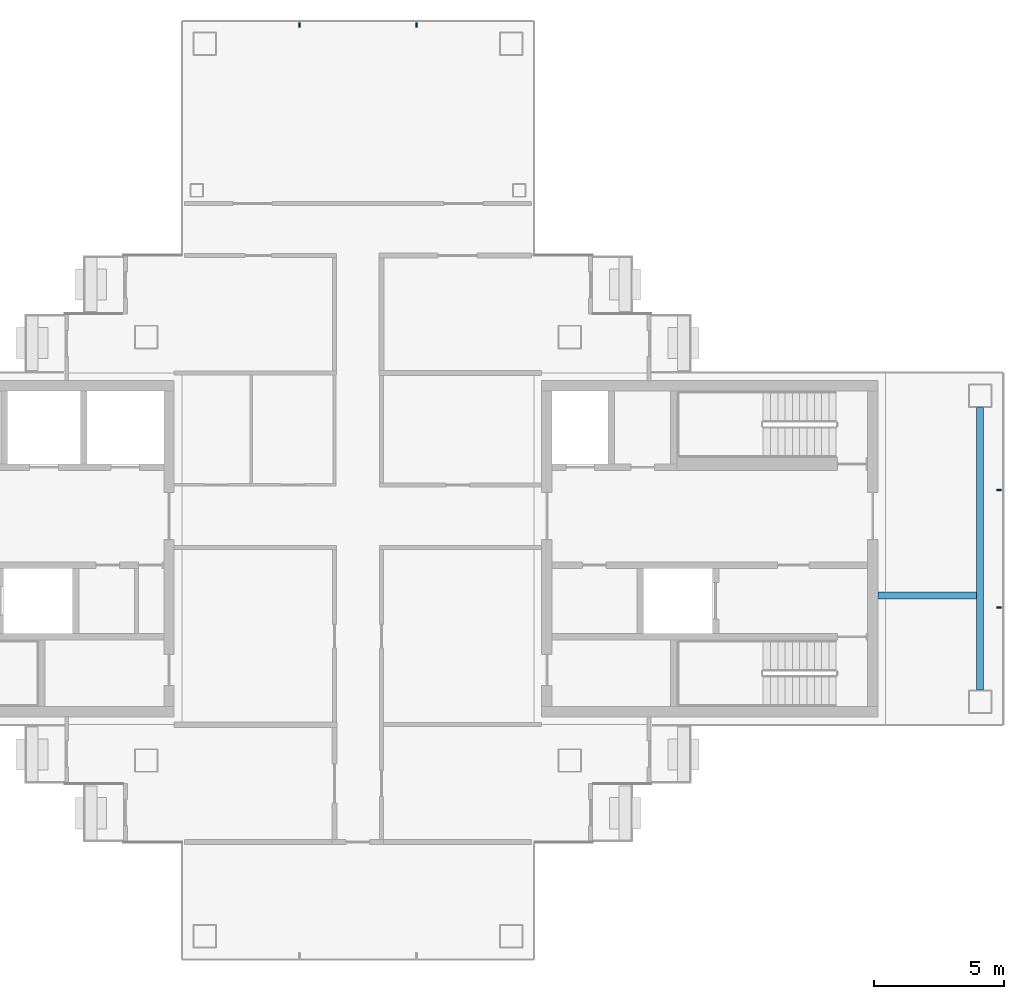
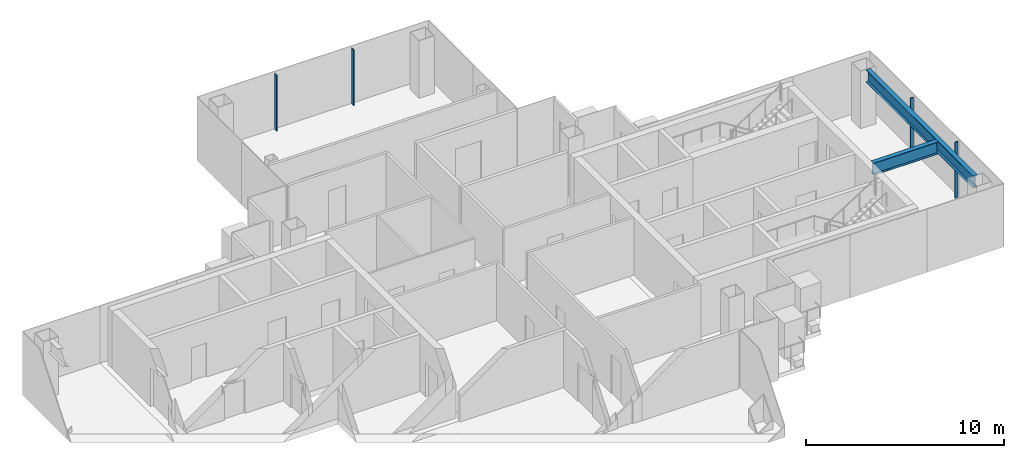
# One storey, part 6 of 17: 4 members, 2 beams, 2 elements without a shape of their own.
"""IFC4 building model written with IfcOpenShell, lengths in metres."""

from ifc_helpers import new_model, si_unit, direction, frame, origin, origin_2d, place, context, subcontext, project, spatial, rectangle, i_section, extrude, material, layer, layer_set, material_profile, profile_set, type_object, element, aggregate, save


model = new_model("IFC4")

# Units and contexts
model_context = context("Model", 3, precision=1e-05, world=origin(), true_north=direction((0.0, 1.0)))
body_context = subcontext(model_context, "Body", "Model", "MODEL_VIEW")
ifc_project = project(units=[si_unit("LENGTHUNIT", "METRE"), si_unit("AREAUNIT", "SQUARE_METRE"), si_unit("VOLUMEUNIT", "CUBIC_METRE"), si_unit("PLANEANGLEUNIT", "RADIAN"), si_unit("MASSUNIT", "GRAM", prefix="KILO")], contexts=[model_context])

# Site, building, storey
site_placement = place(None, origin())
site = spatial("IfcSite", under=ifc_project, at=site_placement, CompositionType="ELEMENT")
building_placement = place(site_placement, origin())
building = spatial("IfcBuilding", under=site, at=building_placement, Name="Shamsa Quay Exchange Towers", CompositionType="ELEMENT")
storey_placement = place(building_placement, frame((0.0, 0.0, 234.300048828125)))
storey = spatial("IfcBuildingStorey", under=building, at=storey_placement, Name="L56", CompositionType="ELEMENT", Elevation=234.300048828125)

# Curtain wall, members
ifc_material_1 = material(Name="Aluminium EN AW-6063 T6, black anodised", Category="aluminium")
ifc_layer = layer(ifc_material_1, 0.280029296875)
ifc_layer_set = layer_set([ifc_layer], Name="CW-1 UNITISED VISION GLASS")
curtain_wall_type = type_object("IfcCurtainWallType", Name="CW-1 UNITISED VISION GLASS", PredefinedType="NOTDEFINED", material=ifc_layer_set)
curtain_wall_1_placement = place(storey_placement, origin())
curtain_wall_1 = element("IfcCurtainWall", 1, at=curtain_wall_1_placement, inside=storey, type_object=curtain_wall_type, Name="CW1 T2-END-V- L56", PredefinedType="NOTDEFINED")
ifc_material_profile_1 = material_profile(ifc_material_1, rectangle(XDim=0.179931640625, YDim=0.06005859375, at=origin_2d()), Name="MU60x180")
ifc_profile_set_1 = profile_set([ifc_material_profile_1], Name="Aluminium EN AW-6063 T6, black anodised")
member_type = type_object("IfcMemberType", Name="CW1 MULLION 60x180", PredefinedType="MULLION", material=ifc_profile_set_1)
member_1_placement = place(storey_placement, frame((58.35009765625, -2.25, 0.0), z_axis=(0.0, 0.0, 1.0), x_axis=(-1.0, 0.0, 0.0)))
member_1 = element("IfcMember", 2, at=member_1_placement, type_object=member_type, Name="CW1 mullion", PredefinedType="MULLION", context=body_context, shape_type="SweptSolid", body=[
    extrude(rectangle(XDim=0.179931640625, YDim=0.06005859375, at=origin_2d()), origin(), (0.0, 0.0, 1.0), 3.449951171875),
])
member_2_placement = place(storey_placement, frame((58.35009765625, 2.25, 0.0), z_axis=(0.0, 0.0, 1.0), x_axis=(-1.0, 0.0, 0.0)))
member_2 = element("IfcMember", 3, at=member_2_placement, type_object=member_type, Name="CW1 mullion", PredefinedType="MULLION", context=body_context, shape_type="SweptSolid", body=[
    extrude(rectangle(XDim=0.179931640625, YDim=0.06005859375, at=origin_2d()), origin(), (0.0, 0.0, 1.0), 3.449951171875),
])
aggregate(curtain_wall_1, [member_1, member_2])

curtain_wall_2_placement = place(storey_placement, origin())
curtain_wall_2 = element("IfcCurtainWall", 4, at=curtain_wall_2_placement, inside=storey, type_object=curtain_wall_type, Name="CW1 T2-END-U+ L56", PredefinedType="NOTDEFINED")
member_3_placement = place(storey_placement, frame((36.0, 20.10009765625, 0.0), z_axis=(0.0, 0.0, 1.0), x_axis=(0.0, -1.0, 0.0)))
member_3 = element("IfcMember", 5, at=member_3_placement, type_object=member_type, Name="CW1 mullion", PredefinedType="MULLION", context=body_context, shape_type="SweptSolid", body=[
    extrude(rectangle(XDim=0.179931640625, YDim=0.06005859375, at=origin_2d()), origin(), (0.0, 0.0, 1.0), 3.449951171875),
])
member_4_placement = place(storey_placement, frame((31.5, 20.10009765625, 0.0), z_axis=(0.0, 0.0, 1.0), x_axis=(0.0, -1.0, 0.0)))
member_4 = element("IfcMember", 6, at=member_4_placement, type_object=member_type, Name="CW1 mullion", PredefinedType="MULLION", context=body_context, shape_type="SweptSolid", body=[
    extrude(rectangle(XDim=0.179931640625, YDim=0.06005859375, at=origin_2d()), origin(), (0.0, 0.0, 1.0), 3.449951171875),
])
aggregate(curtain_wall_2, [member_3, member_4])

# Beams
ifc_material_2 = material(Name="Steel S355", Category="steel")
ifc_material_profile_2 = material_profile(ifc_material_2, i_section(OverallWidth=0.26611328125, OverallDepth=0.7578125, WebThickness=0.013916015625, FlangeThickness=0.019287109375, at=origin_2d()), Name="W30x108")
ifc_profile_set_2 = profile_set([ifc_material_profile_2], Name="Steel S355")
beam_type = type_object("IfcBeamType", Name="End-zone beam W30x108", PredefinedType="BEAM", material=ifc_profile_set_2)
beam_1_placement = place(storey_placement, frame((57.625, -5.425048828125, 3.171142578125), z_axis=(0.0, 1.0, 0.0), x_axis=(-1.0, 0.0, 0.0)))
element("IfcBeam", 7, at=beam_1_placement, inside=storey, type_object=beam_type, Name="End beam T2 V- end zone L56", PredefinedType="BEAM", context=body_context, shape_type="SweptSolid", body=[
    extrude(i_section(OverallWidth=0.26611328125, OverallDepth=0.7578125, WebThickness=0.013916015625, FlangeThickness=0.019287109375, at=origin_2d()), origin(), (0.0, 0.0, 1.0), 10.85009765625),
])
beam_2_placement = place(storey_placement, frame((53.699951171875, -1.800048828125, 3.171142578125), z_axis=(1.0, 0.0, 0.0), x_axis=(0.0, 1.0, 0.0)))
element("IfcBeam", 8, at=beam_2_placement, inside=storey, type_object=beam_type, Name="Spine beam T2 V- end zone L56", PredefinedType="BEAM", context=body_context, shape_type="SweptSolid", body=[
    extrude(i_section(OverallWidth=0.26611328125, OverallDepth=0.7578125, WebThickness=0.013916015625, FlangeThickness=0.019287109375, at=origin_2d()), origin(), (0.0, 0.0, 1.0), 3.7919921875),
])

save(model, "model.ifc")
